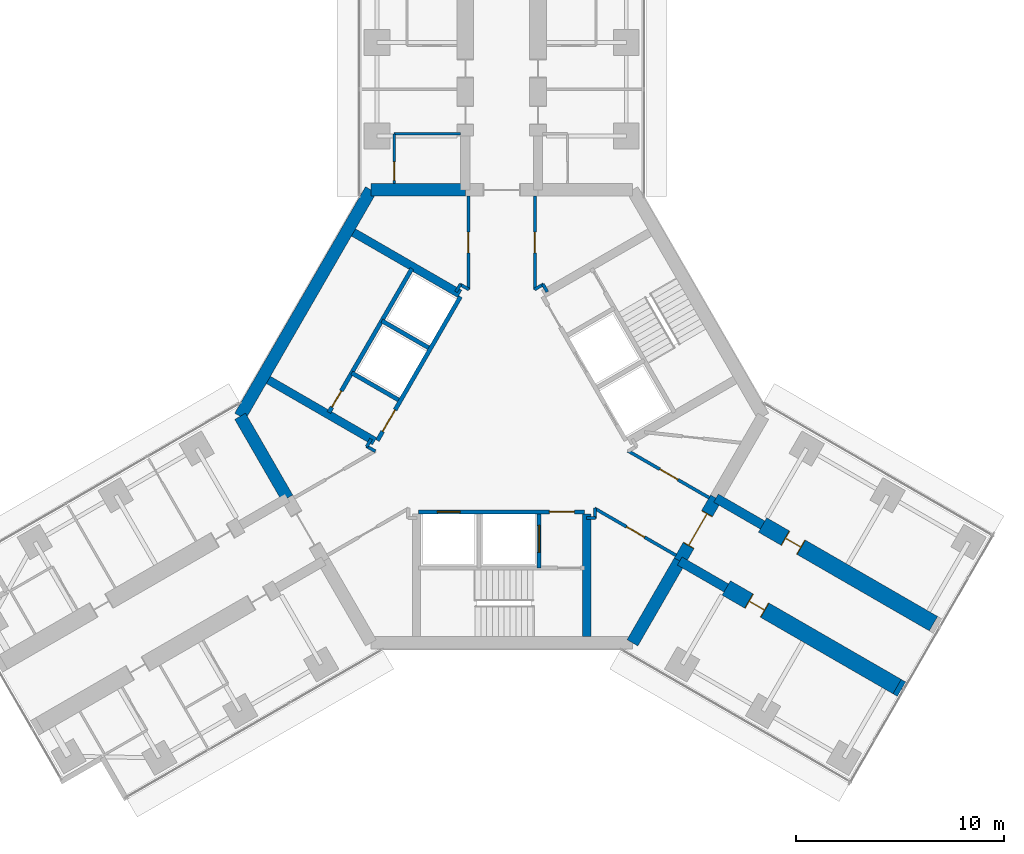
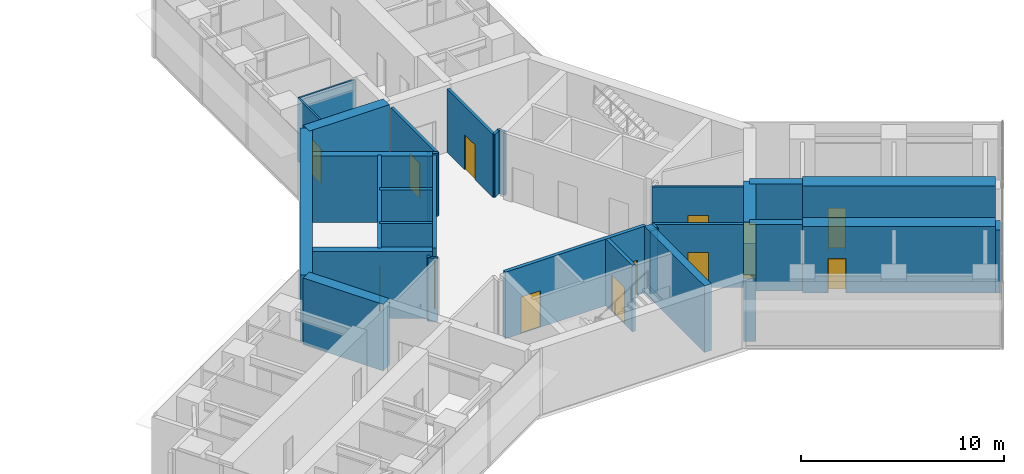
# One storey, part 19 of 23: 33 walls, 13 doors, 13 openings.
"""IFC4 building model written with IfcOpenShell, lengths in metres."""

from ifc_helpers import new_model, si_unit, direction, frame, frame_2d, origin, place, context, subcontext, project, spatial, rectangle, extrude, material, layer, layer_set, type_object, element, fill, save


model = new_model("IFC4")

# Units and contexts
model_context = context("Model", 3, precision=1e-05, world=origin(), true_north=direction((0.0, 1.0)))
body_context = subcontext(model_context, "Body", "Model", "MODEL_VIEW")
ifc_project = project(units=[si_unit("LENGTHUNIT", "METRE"), si_unit("AREAUNIT", "SQUARE_METRE"), si_unit("VOLUMEUNIT", "CUBIC_METRE"), si_unit("PLANEANGLEUNIT", "RADIAN"), si_unit("MASSUNIT", "GRAM", prefix="KILO")], contexts=[model_context])

# Site, building, storey
site_placement = place(None, origin())
site = spatial("IfcSite", under=ifc_project, at=site_placement, CompositionType="ELEMENT")
building_placement = place(site_placement, origin())
building = spatial("IfcBuilding", under=site, at=building_placement, Name="Upepo Twin Towers", CompositionType="ELEMENT")
storey_placement = place(building_placement, frame((0.0, 0.0, 145.5)))
storey = spatial("IfcBuildingStorey", under=building, at=storey_placement, Name="L35", CompositionType="ELEMENT", Elevation=145.5)

# Walls
ifc_material_1 = material(Name="Dense concrete blockwork", Category="masonry")
ifc_layer_1 = layer(ifc_material_1, 0.800048828125)
ifc_layer_set_1 = layer_set([ifc_layer_1], Name="Buttress closer 800, blockwork with fire-stopping to the curtain wall")
wall_type_1 = type_object("IfcWallType", Name="Buttress closer 800, blockwork with fire-stopping to the curtain wall", PredefinedType="PARTITIONING", material=ifc_layer_set_1)
wall_1_placement = place(storey_placement, frame((77.543701171875, -31.015625, 0.0), z_axis=(0.0, 0.0, 1.0), x_axis=(0.865827443207, -0.500342721131, 0.0)))
element("IfcWall", 1, at=wall_1_placement, inside=storey, type_object=wall_type_1, Name="T2 L35 wing C buttress closer R", PredefinedType="PARTITIONING", context=body_context, shape_type="SweptSolid", body=[
    extrude(rectangle(XDim=0.249755859375, YDim=0.800048828125, at=frame_2d((0.125, 0.0))), origin(), (0.0, 0.0, 1.0), 3.800048828125),
])
ifc_material_2 = material(Name="Concrete C60/75", Category="concrete")
ifc_layer_2 = layer(ifc_material_2, 0.449951171875)
ifc_layer_set_2 = layer_set([ifc_layer_2], Name="Concrete C60/75")
wall_type_2 = type_object("IfcWallType", Name="Buttress wall 450 RC", PredefinedType="SHEAR", material=ifc_layer_set_2)
for number, where, z_axis, x_axis, name in (
    (2, (68.82177734375, -21.938720703125, 0.0), (0.0, 0.0, 1.0), (0.866072649678, -0.499918158782, 0.0), "T2 wing C buttress wall L"),
    (3, (67.07177734375, -24.9697265625, 0.0), (0.0, 0.0, 1.0), (0.866031863473, -0.499988811324, 0.0), "T2 wing C buttress wall R"),
):
    element("IfcWall", number, at=place(storey_placement, frame(where, z_axis=z_axis, x_axis=x_axis)), inside=storey, type_object=wall_type_2, Name=name, PredefinedType="SHEAR", context=body_context, shape_type="SweptSolid", body=[
        extrude(rectangle(XDim=2.591796875, YDim=0.449951171875, at=frame_2d((1.2958984375, 0.0))), origin(), (0.0, 0.0, 1.0), 4.0),
    ])

# Wall, opening, door
ifc_material_3 = material(Name="Concrete C60/75", Category="concrete")
ifc_layer_3 = layer(ifc_material_3, 0.800048828125)
ifc_layer_set_3 = layer_set([ifc_layer_3], Name="Concrete C60/75")
wall_type_3 = type_object("IfcWallType", Name="Buttress wall 800 RC", PredefinedType="SHEAR", material=ifc_layer_set_3)
wall_2_placement = place(storey_placement, frame((71.06640625, -23.234375, 0.0), z_axis=(0.0, 0.0, 1.0), x_axis=(0.86602681393, -0.499997557548, 0.0)))
wall_2 = element("IfcWall", 4, at=wall_2_placement, inside=storey, type_object=wall_type_3, Name="T2 wing C buttress wall L part 2", PredefinedType="SHEAR", context=body_context, shape_type="SweptSolid", body=[
    extrude(rectangle(XDim=9.5, YDim=0.800048828125, at=frame_2d((4.75, 0.0))), origin(), (0.0, 0.0, 1.0), 4.0),
])
opening_1_placement = place(wall_2_placement, frame((1.25, 0.0, 0.0)))
opening_1 = element("IfcOpeningElement", 5, at=opening_1_placement, cuts=wall_2, Name="Opening D14", PredefinedType="OPENING", context=body_context, shape_type="SweptSolid", body=[
    extrude(rectangle(XDim=0.89990234375, YDim=2.10009765625, at=frame_2d((0.449951171875, 1.050048828125))), frame((0.0, 0.409912109375, 0.0), z_axis=(0.0, -1.0, 0.0), x_axis=(1.0, 0.0, 0.0)), (0.0, 0.0, 1.0), 0.820068359375),
])
ifc_material_4 = material(Name="Timber doorset", Category="wood")
door_type_1 = type_object("IfcDoorType", Name="Office door 900 FD30", OperationType="SINGLE_SWING_LEFT", PredefinedType="DOOR", material=ifc_material_4)
door_1_placement = place(opening_1_placement, origin())
door_1 = element("IfcDoor", 6, at=door_1_placement, inside=storey, type_object=door_type_1, Name="T2 L35 staff office door", OperationType="SINGLE_SWING_LEFT", OverallHeight=2.10009765625, OverallWidth=0.89990234375, PredefinedType="DOOR", context=body_context, shape_type="SweptSolid", body=[
    extrude(rectangle(XDim=0.81990234375, YDim=2.06009765625, at=frame_2d((0.449951171875, 1.030029296875))), frame((0.0, 0.02490234375, 0.0), z_axis=(0.0, -1.0, 0.0), x_axis=(1.0, 0.0, 0.0)), (0.0, 0.0, 1.0), 0.050048828125),
    extrude(rectangle(XDim=0.04, YDim=2.10009765625, at=frame_2d((0.02001953125, 1.050048828125))), frame((0.0, 0.39990234375, 0.0), z_axis=(0.0, -1.0, 0.0), x_axis=(1.0, 0.0, 0.0)), (0.0, 0.0, 1.0), 0.799560546875),
    extrude(rectangle(XDim=0.04, YDim=2.10009765625, at=frame_2d((0.8798828125, 1.050048828125))), frame((0.0, 0.39990234375, 0.0), z_axis=(0.0, -1.0, 0.0), x_axis=(1.0, 0.0, 0.0)), (0.0, 0.0, 1.0), 0.799560546875),
    extrude(rectangle(XDim=0.81990234375, YDim=0.04, at=frame_2d((0.449951171875, 2.080078125))), frame((0.0, 0.39990234375, 0.0), z_axis=(0.0, -1.0, 0.0), x_axis=(1.0, 0.0, 0.0)), (0.0, 0.0, 1.0), 0.799560546875),
])
fill(opening_1, door_1)

wall_3_placement = place(storey_placement, frame((69.31640625, -26.265625, 0.0), z_axis=(0.0, 0.0, 1.0), x_axis=(0.86602681393, -0.499997557548, 0.0)))
wall_3 = element("IfcWall", 7, at=wall_3_placement, inside=storey, type_object=wall_type_3, Name="T2 wing C buttress wall R part 2", PredefinedType="SHEAR", context=body_context, shape_type="SweptSolid", body=[
    extrude(rectangle(XDim=9.5, YDim=0.800048828125, at=frame_2d((4.75, 0.0))), origin(), (0.0, 0.0, 1.0), 4.0),
])
opening_2_placement = place(wall_3_placement, frame((1.25, 0.0, 0.0)))
opening_2 = element("IfcOpeningElement", 8, at=opening_2_placement, cuts=wall_3, Name="Opening D14", PredefinedType="OPENING", context=body_context, shape_type="SweptSolid", body=[
    extrude(rectangle(XDim=0.89990234375, YDim=2.10009765625, at=frame_2d((0.449951171875, 1.050048828125))), frame((0.0, 0.409912109375, 0.0), z_axis=(0.0, -1.0, 0.0), x_axis=(1.0, 0.0, 0.0)), (0.0, 0.0, 1.0), 0.820068359375),
])
door_2_placement = place(opening_2_placement, origin())
door_2 = element("IfcDoor", 9, at=door_2_placement, inside=storey, type_object=door_type_1, Name="T2 L35 staff office door", OperationType="SINGLE_SWING_LEFT", OverallHeight=2.10009765625, OverallWidth=0.89990234375, PredefinedType="DOOR", context=body_context, shape_type="SweptSolid", body=[
    extrude(rectangle(XDim=0.81990234375, YDim=2.06009765625, at=frame_2d((0.449951171875, 1.030029296875))), frame((0.0, 0.02490234375, 0.0), z_axis=(0.0, -1.0, 0.0), x_axis=(1.0, 0.0, 0.0)), (0.0, 0.0, 1.0), 0.050048828125),
    extrude(rectangle(XDim=0.04, YDim=2.10009765625, at=frame_2d((0.02001953125, 1.050048828125))), frame((0.0, 0.39990234375, 0.0), z_axis=(0.0, -1.0, 0.0), x_axis=(1.0, 0.0, 0.0)), (0.0, 0.0, 1.0), 0.799560546875),
    extrude(rectangle(XDim=0.04, YDim=2.10009765625, at=frame_2d((0.8798828125, 1.050048828125))), frame((0.0, 0.39990234375, 0.0), z_axis=(0.0, -1.0, 0.0), x_axis=(1.0, 0.0, 0.0)), (0.0, 0.0, 1.0), 0.799560546875),
    extrude(rectangle(XDim=0.81990234375, YDim=0.04, at=frame_2d((0.449951171875, 2.080078125))), frame((0.0, 0.39990234375, 0.0), z_axis=(0.0, -1.0, 0.0), x_axis=(1.0, 0.0, 0.0)), (0.0, 0.0, 1.0), 0.799560546875),
])
fill(opening_2, door_2)

# Walls
ifc_material_5 = material(Name="Concrete C60/75", Category="concrete")
ifc_layer_4 = layer(ifc_material_5, 0.60009765625)
ifc_layer_set_4 = layer_set([ifc_layer_4], Name="Concrete C60/75")
wall_type_4 = type_object("IfcWallType", Name="Core wall 600 RC", PredefinedType="SHEAR", material=ifc_layer_set_4)
wall_4_placement = place(storey_placement, frame((56.75, -7.091552734375, 0.0), z_axis=(0.0, 0.0, 1.0), x_axis=(-1.0, 0.0, 0.0)))
element("IfcWall", 10, at=wall_4_placement, inside=storey, type_object=wall_type_4, Name="T2 core wall 000 L", PredefinedType="SHEAR", context=body_context, shape_type="SweptSolid", body=[
    extrude(rectangle(XDim=4.5478515625, YDim=0.60009765625, at=frame_2d((2.27392578125, 0.0))), origin(), (0.0, 0.0, 1.0), 4.0),
])
wall_5_placement = place(storey_placement, frame((52.2021484375, -7.091552734375, 0.0), z_axis=(0.0, 0.0, 1.0), x_axis=(-0.500005998175, -0.866021940709, 0.0)))
element("IfcWall", 11, at=wall_5_placement, inside=storey, type_object=wall_type_4, Name="T2 core wall 060", PredefinedType="SHEAR", context=body_context, shape_type="SweptSolid", body=[
    extrude(rectangle(XDim=12.595947265625, YDim=0.60009765625, at=frame_2d((6.2978515625, 0.0))), origin(), (0.0, 0.0, 1.0), 4.0),
])
for number, where, z_axis, x_axis, name in (
    (12, (45.904052734375, -18.0, 0.0), (0.0, 0.0, 1.0), (0.500024481964, -0.866011268655, 0.0), "T2 core wall 120 R"),
    (13, (64.7978515625, -28.908447265625, 0.0), (0.0, 0.0, 1.0), (0.499984222037, 0.866034513004, 0.0), "T2 core wall 240 R"),
):
    element("IfcWall", number, at=place(storey_placement, frame(where, z_axis=z_axis, x_axis=x_axis)), inside=storey, type_object=wall_type_4, Name=name, PredefinedType="SHEAR", context=body_context, shape_type="SweptSolid", body=[
        extrude(rectangle(XDim=4.548095703125, YDim=0.60009765625, at=frame_2d((2.27392578125, 0.0))), origin(), (0.0, 0.0, 1.0), 4.0),
    ])

# Wall, opening, door
wall_6_placement = place(storey_placement, frame((67.07177734375, -24.9697265625, 0.0), z_axis=(0.0, 0.0, 1.0), x_axis=(0.500010275428, 0.866019471182, 0.0)))
wall_6 = element("IfcWall", 14, at=wall_6_placement, inside=storey, type_object=wall_type_4, Name="T2 core wall 240", PredefinedType="SHEAR", context=body_context, shape_type="SweptSolid", body=[
    extrude(rectangle(XDim=3.5, YDim=0.60009765625, at=frame_2d((1.75, 0.0))), origin(), (0.0, 0.0, 1.0), 4.0),
])
opening_3_placement = place(wall_6_placement, frame((0.85009765625, 0.0, 0.0)))
opening_3 = element("IfcOpeningElement", 15, at=opening_3_placement, cuts=wall_6, Name="Opening D2", PredefinedType="OPENING", context=body_context, shape_type="SweptSolid", body=[
    extrude(rectangle(XDim=1.800048828125, YDim=2.10009765625, at=frame_2d((0.89990234375, 1.050048828125))), frame((0.0, 0.31005859375, 0.0), z_axis=(0.0, -1.0, 0.0), x_axis=(1.0, 0.0, 0.0)), (0.0, 0.0, 1.0), 0.6201171875),
])
ifc_material_6 = material(Name="Timber doorset", Category="wood")
door_type_2 = type_object("IfcDoorType", Name="Corridor double door 1800 FD60", OperationType="DOUBLE_DOOR_DOUBLE_SWING", PredefinedType="DOOR", material=ifc_material_6)
door_3_placement = place(opening_3_placement, origin())
door_3 = element("IfcDoor", 16, at=door_3_placement, inside=storey, type_object=door_type_2, Name="T2 L35 wing C corridor door", OperationType="DOUBLE_DOOR_DOUBLE_SWING", OverallHeight=2.10009765625, OverallWidth=1.800048828125, PredefinedType="DOOR", context=body_context, shape_type="SweptSolid", body=[
    extrude(rectangle(XDim=1.720048828125, YDim=2.06009765625, at=frame_2d((0.89990234375, 1.030029296875))), frame((0.0, 0.02490234375, 0.0), z_axis=(0.0, -1.0, 0.0), x_axis=(1.0, 0.0, 0.0)), (0.0, 0.0, 1.0), 0.050048828125),
    extrude(rectangle(XDim=0.04, YDim=2.10009765625, at=frame_2d((0.02001953125, 1.050048828125))), frame((0.0, 0.2998046875, 0.0), z_axis=(0.0, -1.0, 0.0), x_axis=(1.0, 0.0, 0.0)), (0.0, 0.0, 1.0), 0.599609375),
    extrude(rectangle(XDim=0.04, YDim=2.10009765625, at=frame_2d((1.780029296875, 1.050048828125))), frame((0.0, 0.2998046875, 0.0), z_axis=(0.0, -1.0, 0.0), x_axis=(1.0, 0.0, 0.0)), (0.0, 0.0, 1.0), 0.599609375),
    extrude(rectangle(XDim=1.720048828125, YDim=0.04, at=frame_2d((0.89990234375, 2.080078125))), frame((0.0, 0.2998046875, 0.0), z_axis=(0.0, -1.0, 0.0), x_axis=(1.0, 0.0, 0.0)), (0.0, 0.0, 1.0), 0.599609375),
])
fill(opening_3, door_3)

ifc_material_7 = material(Name="Gypsum board on steel studs", Category="steel")
ifc_layer_5 = layer(ifc_material_7, 0.10009765625)
ifc_layer_set_5 = layer_set([ifc_layer_5], Name="Office partition 100 stud")
wall_type_5 = type_object("IfcWallType", Name="Office partition 100 stud", PredefinedType="PARTITIONING", material=ifc_layer_set_5)
wall_7_placement = place(storey_placement, frame((53.324951171875, -6.7919921875, 0.0), z_axis=(0.0, 0.0, 1.0), x_axis=(0.0, 1.0, 0.0)))
wall_7 = element("IfcWall", 17, at=wall_7_placement, inside=storey, type_object=wall_type_5, Name="T2 WC bay partition AL at 11.21", PredefinedType="PARTITIONING", context=body_context, shape_type="SweptSolid", body=[
    extrude(rectangle(XDim=2.39990234375, YDim=0.10009765625, at=frame_2d((1.199951171875, 0.0))), origin(), (0.0, 0.0, 1.0), 3.800048828125),
])
opening_4_placement = place(wall_7_placement, frame((0.14990234375, 0.0, 0.0)))
opening_4 = element("IfcOpeningElement", 18, at=opening_4_placement, cuts=wall_7, Name="Opening D14", PredefinedType="OPENING", context=body_context, shape_type="SweptSolid", body=[
    extrude(rectangle(XDim=0.89990234375, YDim=2.10009765625, at=frame_2d((0.449951171875, 1.050048828125))), frame((0.0, 0.06005859375, 0.0), z_axis=(0.0, -1.0, 0.0), x_axis=(1.0, 0.0, 0.0)), (0.0, 0.0, 1.0), 0.1201171875),
])
door_4_placement = place(opening_4_placement, origin())
door_4 = element("IfcDoor", 19, at=door_4_placement, inside=storey, type_object=door_type_1, Name="T2 L35 WC bay inner room door", OperationType="SINGLE_SWING_LEFT", OverallHeight=2.10009765625, OverallWidth=0.89990234375, PredefinedType="DOOR", context=body_context, shape_type="SweptSolid", body=[
    extrude(rectangle(XDim=0.89990234375, YDim=2.10009765625, at=frame_2d((0.449951171875, 1.050048828125))), frame((0.0, 0.02490234375, 0.0), z_axis=(0.0, -1.0, 0.0), x_axis=(1.0, 0.0, 0.0)), (0.0, 0.0, 1.0), 0.050048828125),
])
fill(opening_4, door_4)

# Wall
wall_8_placement = place(storey_placement, frame((56.52490234375, -4.39208984375, 0.0), z_axis=(0.0, 0.0, 1.0), x_axis=(-1.0, 0.0, 0.0)))
element("IfcWall", 20, at=wall_8_placement, inside=storey, type_object=wall_type_5, Name="T2 WC bay partition AL end at 13.61", PredefinedType="PARTITIONING", context=body_context, shape_type="SweptSolid", body=[
    extrude(rectangle(XDim=3.199951171875, YDim=0.10009765625, at=frame_2d((1.60009765625, 0.0))), origin(), (0.0, 0.0, 1.0), 3.800048828125),
])

# Wall, opening, door
ifc_material_8 = material(Name="Concrete C40/50", Category="concrete")
ifc_layer_6 = layer(ifc_material_8, 0.199951171875)
ifc_layer_set_6 = layer_set([ifc_layer_6], Name="Concrete C40/50")
wall_type_6 = type_object("IfcWallType", Name="Shaft wall 200 RC", PredefinedType="SHEAR", material=ifc_layer_set_6)
wall_9_placement = place(storey_placement, frame((56.516357421875, -12.23583984375, 0.0), z_axis=(0.0, 0.0, 1.0), x_axis=(-0.49999894854, -0.866026010844, 0.0)))
wall_9 = element("IfcWall", 21, at=wall_9_placement, inside=storey, type_object=wall_type_6, Name="T2 core W60 front wall", PredefinedType="SHEAR", context=body_context, shape_type="SweptSolid", body=[
    extrude(rectangle(XDim=8.0, YDim=0.199951171875, at=frame_2d((4.0, 0.0))), origin(), (0.0, 0.0, 1.0), 4.0),
])
opening_5_placement = place(wall_9_placement, frame((6.300048828125, 0.0, 0.0)))
opening_5 = element("IfcOpeningElement", 22, at=opening_5_placement, cuts=wall_9, Name="Opening D4", PredefinedType="OPENING", context=body_context, shape_type="SweptSolid", body=[
    extrude(rectangle(XDim=1.199951171875, YDim=2.10009765625, at=frame_2d((0.60009765625, 1.050048828125))), frame((0.0, 0.10986328125, 0.0), z_axis=(0.0, -1.0, 0.0), x_axis=(1.0, 0.0, 0.0)), (0.0, 0.0, 1.0), 0.219970703125),
])
ifc_material_9 = material(Name="Timber doorset", Category="wood")
door_type_3 = type_object("IfcDoorType", Name="Lobby door 1200 FD60", OperationType="SINGLE_SWING_LEFT", PredefinedType="DOOR", material=ifc_material_9)
door_5_placement = place(opening_5_placement, origin())
door_5 = element("IfcDoor", 23, at=door_5_placement, inside=storey, type_object=door_type_3, Name="T2 L35 W60 lobby door", OperationType="SINGLE_SWING_RIGHT", OverallHeight=2.10009765625, OverallWidth=1.199951171875, PredefinedType="DOOR", context=body_context, shape_type="SweptSolid", body=[
    extrude(rectangle(XDim=1.199951171875, YDim=2.10009765625, at=frame_2d((0.60009765625, 1.050048828125))), frame((0.0, 0.02490234375, 0.0), z_axis=(0.0, -1.0, 0.0), x_axis=(1.0, 0.0, 0.0)), (0.0, 0.0, 1.0), 0.050048828125),
])
fill(opening_5, door_5)

# Walls
for number, where, z_axis, x_axis, name in (
    (24, (54.979736328125, -14.697265625, 0.0), (0.0, 0.0, 1.0), (-0.866062058628, 0.499936506574, 0.0), "T2 core W60 shaft divider"),
    (25, (53.52978515625, -17.208740234375, 0.0), (0.0, 0.0, 1.0), (-0.866062058628, 0.499936506574, 0.0), "T2 core W60 lobby wall"),
):
    element("IfcWall", number, at=place(storey_placement, frame(where, z_axis=z_axis, x_axis=x_axis)), inside=storey, type_object=wall_type_6, Name=name, PredefinedType="SHEAR", context=body_context, shape_type="SweptSolid", body=[
        extrude(rectangle(XDim=2.599853515625, YDim=0.199951171875, at=frame_2d((1.2998046875, 0.0))), origin(), (0.0, 0.0, 1.0), 4.0),
    ])

# Wall, opening, door
wall_10_placement = place(storey_placement, frame((54.177978515625, -10.885986328125, 0.0), z_axis=(0.0, 0.0, 1.0), x_axis=(-0.49999894854, -0.866026010844, 0.0)))
wall_10 = element("IfcWall", 26, at=wall_10_placement, inside=storey, type_object=wall_type_6, Name="T2 core W60 stair wall", PredefinedType="SHEAR", context=body_context, shape_type="SweptSolid", body=[
    extrude(rectangle(XDim=8.0, YDim=0.199951171875, at=frame_2d((4.0, 0.0))), origin(), (0.0, 0.0, 1.0), 4.0),
])
opening_6_placement = place(wall_10_placement, frame((6.800048828125, 0.0, 0.0)))
opening_6 = element("IfcOpeningElement", 27, at=opening_6_placement, cuts=wall_10, Name="Opening D9", PredefinedType="OPENING", context=body_context, shape_type="SweptSolid", body=[
    extrude(rectangle(XDim=0.89990234375, YDim=2.10009765625, at=frame_2d((0.449951171875, 1.050048828125))), frame((0.0, 0.10986328125, 0.0), z_axis=(0.0, -1.0, 0.0), x_axis=(1.0, 0.0, 0.0)), (0.0, 0.0, 1.0), 0.219970703125),
])
ifc_material_10 = material(Name="Timber doorset", Category="wood")
door_type_4 = type_object("IfcDoorType", Name="Riser door 900 FD60", OperationType="SINGLE_SWING_LEFT", PredefinedType="DOOR", material=ifc_material_10)
door_6_placement = place(opening_6_placement, origin())
door_6 = element("IfcDoor", 28, at=door_6_placement, inside=storey, type_object=door_type_4, Name="T2 L35 riser door", OperationType="SINGLE_SWING_RIGHT", OverallHeight=2.10009765625, OverallWidth=0.89990234375, PredefinedType="DOOR", context=body_context, shape_type="SweptSolid", body=[
    extrude(rectangle(XDim=0.89990234375, YDim=2.10009765625, at=frame_2d((0.449951171875, 1.050048828125))), frame((0.0, 0.02490234375, 0.0), z_axis=(0.0, -1.0, 0.0), x_axis=(1.0, 0.0, 0.0)), (0.0, 0.0, 1.0), 0.050048828125),
])
fill(opening_6, door_6)

# Wall, openings, doors
wall_11_placement = place(storey_placement, frame((54.5, -22.60009765625, 0.0), z_axis=(0.0, 0.0, 1.0), x_axis=(1.0, 0.0, 0.0)))
wall_11 = element("IfcWall", 29, at=wall_11_placement, inside=storey, type_object=wall_type_6, Name="T2 core W180 front wall", PredefinedType="SHEAR", context=body_context, shape_type="SweptSolid", body=[
    extrude(rectangle(XDim=8.0, YDim=0.199951171875, at=frame_2d((4.0, 0.0))), origin(), (0.0, 0.0, 1.0), 4.0),
])
opening_7_placement = place(wall_11_placement, frame((6.300048828125, 0.0, 0.0)))
opening_7 = element("IfcOpeningElement", 30, at=opening_7_placement, cuts=wall_11, Name="Opening D4", PredefinedType="OPENING", context=body_context, shape_type="SweptSolid", body=[
    extrude(rectangle(XDim=1.199951171875, YDim=2.10009765625, at=frame_2d((0.60009765625, 1.050048828125))), frame((0.0, 0.10986328125, 0.0), z_axis=(0.0, -1.0, 0.0), x_axis=(1.0, 0.0, 0.0)), (0.0, 0.0, 1.0), 0.219970703125),
])
opening_8_placement = place(wall_11_placement, frame((0.89990234375, 0.0, 0.0)))
opening_8 = element("IfcOpeningElement", 31, at=opening_8_placement, cuts=wall_11, Name="Opening LD1", PredefinedType="OPENING", context=body_context, shape_type="SweptSolid", body=[
    extrude(rectangle(XDim=1.10009765625, YDim=2.199951171875, at=frame_2d((0.550048828125, 1.10009765625))), frame((0.0, 0.10986328125, 0.0), z_axis=(0.0, -1.0, 0.0), x_axis=(1.0, 0.0, 0.0)), (0.0, 0.0, 1.0), 0.219970703125),
])
ifc_material_11 = material(Name="Steel doorset", Category="steel")
door_type_5 = type_object("IfcDoorType", Name="Lift landing door 1100", OperationType="DOUBLE_DOOR_SLIDING", PredefinedType="DOOR", material=ifc_material_11)
door_7_placement = place(opening_8_placement, origin())
door_7 = element("IfcDoor", 32, at=door_7_placement, inside=storey, type_object=door_type_5, Name="T2 L35 lift SV1 landing door", OperationType="DOUBLE_DOOR_SLIDING", OverallHeight=2.199951171875, OverallWidth=1.10009765625, PredefinedType="DOOR", context=body_context, shape_type="SweptSolid", body=[
    extrude(rectangle(XDim=1.10009765625, YDim=2.199951171875, at=frame_2d((0.550048828125, 1.10009765625))), frame((0.0, 0.02490234375, 0.0), z_axis=(0.0, -1.0, 0.0), x_axis=(1.0, 0.0, 0.0)), (0.0, 0.0, 1.0), 0.050048828125),
])
fill(opening_8, door_7)
door_8_placement = place(opening_7_placement, origin())
door_8 = element("IfcDoor", 33, at=door_8_placement, inside=storey, type_object=door_type_3, Name="T2 L35 W180 lobby door", OperationType="SINGLE_SWING_RIGHT", OverallHeight=2.10009765625, OverallWidth=1.199951171875, PredefinedType="DOOR", context=body_context, shape_type="SweptSolid", body=[
    extrude(rectangle(XDim=1.199951171875, YDim=2.10009765625, at=frame_2d((0.60009765625, 1.050048828125))), frame((0.0, 0.02490234375, 0.0), z_axis=(0.0, -1.0, 0.0), x_axis=(1.0, 0.0, 0.0)), (0.0, 0.0, 1.0), 0.050048828125),
])
fill(opening_7, door_8)

# Wall, opening, door
wall_12_placement = place(storey_placement, frame((60.300048828125, -22.699951171875, 0.0), z_axis=(0.0, 0.0, 1.0), x_axis=(0.0, -1.0, 0.0)))
wall_12 = element("IfcWall", 34, at=wall_12_placement, inside=storey, type_object=wall_type_6, Name="T2 core W180 lobby wall", PredefinedType="SHEAR", context=body_context, shape_type="SweptSolid", body=[
    extrude(rectangle(XDim=2.60009765625, YDim=0.199951171875, at=frame_2d((1.300048828125, 0.0))), origin(), (0.0, 0.0, 1.0), 4.0),
])
opening_9_placement = place(wall_12_placement, frame((0.550048828125, 0.0, 0.0)))
opening_9 = element("IfcOpeningElement", 35, at=opening_9_placement, cuts=wall_12, Name="Opening LD2", PredefinedType="OPENING", context=body_context, shape_type="SweptSolid", body=[
    extrude(rectangle(XDim=1.300048828125, YDim=2.199951171875, at=frame_2d((0.64990234375, 1.10009765625))), frame((0.0, 0.10986328125, 0.0), z_axis=(0.0, -1.0, 0.0), x_axis=(1.0, 0.0, 0.0)), (0.0, 0.0, 1.0), 0.219970703125),
])
ifc_material_12 = material(Name="Steel doorset", Category="steel")
door_type_6 = type_object("IfcDoorType", Name="Firefighting lift landing door 1300", OperationType="DOUBLE_DOOR_SLIDING", PredefinedType="DOOR", material=ifc_material_12)
door_9_placement = place(opening_9_placement, origin())
door_9 = element("IfcDoor", 36, at=door_9_placement, inside=storey, type_object=door_type_6, Name="T2 L35 firefighting lift landing door", OperationType="DOUBLE_DOOR_SLIDING", OverallHeight=2.199951171875, OverallWidth=1.300048828125, PredefinedType="DOOR", context=body_context, shape_type="SweptSolid", body=[
    extrude(rectangle(XDim=1.300048828125, YDim=2.199951171875, at=frame_2d((0.64990234375, 1.10009765625))), frame((0.0, 0.02490234375, 0.0), z_axis=(0.0, -1.0, 0.0), x_axis=(1.0, 0.0, 0.0)), (0.0, 0.0, 1.0), 0.050048828125),
])
fill(opening_9, door_9)

# Walls
ifc_material_13 = material(Name="Concrete C40/50", Category="concrete")
ifc_layer_7 = layer(ifc_material_13, 0.39990234375)
ifc_layer_set_7 = layer_set([ifc_layer_7], Name="Concrete C40/50")
wall_type_7 = type_object("IfcWallType", Name="Shaft wall 400 RC", PredefinedType="SHEAR", material=ifc_layer_set_7)
wall_13_placement = place(storey_placement, frame((52.379638671875, -19.20068359375, 0.0), z_axis=(0.0, 0.0, 1.0), x_axis=(-0.866027317282, 0.49999668571, 0.0)))
element("IfcWall", 37, at=wall_13_placement, inside=storey, type_object=wall_type_7, Name="T2 core W60 side wall N", PredefinedType="SHEAR", context=body_context, shape_type="SweptSolid", body=[
    extrude(rectangle(XDim=5.908203125, YDim=0.39990234375, at=frame_2d((2.9541015625, 0.0))), origin(), (0.0, 0.0, 1.0), 4.0),
])
for number, where, z_axis, x_axis, name in (
    (38, (56.479736328125, -12.099365234375, 0.0), (0.0, 0.0, 1.0), (-0.866009424208, 0.500027676417, 0.0), "T2 core W60 side wall S"),
    (39, (62.60009765625, -22.699951171875, 0.0), (0.0, 0.0, 1.0), (0.0, -1.0, 0.0), "T2 core W180 side wall N"),
):
    element("IfcWall", number, at=place(storey_placement, frame(where, z_axis=z_axis, x_axis=x_axis)), inside=storey, type_object=wall_type_7, Name=name, PredefinedType="SHEAR", context=body_context, shape_type="SweptSolid", body=[
        extrude(rectangle(XDim=5.908447265625, YDim=0.39990234375, at=frame_2d((2.9541015625, 0.0))), origin(), (0.0, 0.0, 1.0), 4.0),
    ])
ifc_material_14 = material(Name="Gypsum board on steel studs", Category="steel")
ifc_layer_8 = layer(ifc_material_14, 0.14990234375)
ifc_layer_set_8 = layer_set([ifc_layer_8], Name="Teaching partition 150 acoustic")
wall_type_8 = type_object("IfcWallType", Name="Teaching partition 150 acoustic", PredefinedType="PARTITIONING", material=ifc_layer_set_8)
wall_14_placement = place(storey_placement, frame((52.417236328125, -19.684326171875, 0.0), z_axis=(0.0, 0.0, 1.0), x_axis=(-0.865831790172, 0.50033519877, 0.0)))
element("IfcWall", 40, at=wall_14_placement, inside=storey, type_object=wall_type_8, Name="T2 core room partition 4", PredefinedType="PARTITIONING", context=body_context, shape_type="SweptSolid", body=[
    extrude(rectangle(XDim=0.494384765625, YDim=0.14990234375, at=frame_2d((0.2470703125, 0.0))), origin(), (0.0, 0.0, 1.0), 3.800048828125),
])
for number, where, z_axis, x_axis, name in (
    (41, (51.99658203125, -19.46435546875, 0.0), (0.0, 0.0, 1.0), (0.499804398801, 0.866138304741, 0.0), "T2 core room partition 5"),
    (42, (56.301513671875, -12.0078125, 0.0), (0.0, 0.0, 1.0), (0.500230298122, 0.865892400268, 0.0), "T2 core room partition 6"),
):
    element("IfcWall", number, at=place(storey_placement, frame(where, z_axis=z_axis, x_axis=x_axis)), inside=storey, type_object=wall_type_8, Name=name, PredefinedType="PARTITIONING", context=body_context, shape_type="SweptSolid", body=[
        extrude(rectangle(XDim=0.429931640625, YDim=0.14990234375, at=frame_2d((0.21484375, 0.0))), origin(), (0.0, 0.0, 1.0), 3.800048828125),
    ])
wall_15_placement = place(storey_placement, frame((56.4892578125, -11.642822265625, 0.0), z_axis=(0.0, 0.0, 1.0), x_axis=(0.865831790172, -0.50033519877, 0.0)))
element("IfcWall", 43, at=wall_15_placement, inside=storey, type_object=wall_type_8, Name="T2 core room partition 7", PredefinedType="PARTITIONING", context=body_context, shape_type="SweptSolid", body=[
    extrude(rectangle(XDim=0.494384765625, YDim=0.14990234375, at=frame_2d((0.2470703125, 0.0))), origin(), (0.0, 0.0, 1.0), 3.800048828125),
])

# Wall, opening, door
wall_16_placement = place(storey_placement, frame((56.89990234375, -11.900146484375, 0.0), z_axis=(0.0, 0.0, 1.0), x_axis=(0.0, 1.0, 0.0)))
wall_16 = element("IfcWall", 44, at=wall_16_placement, inside=storey, type_object=wall_type_8, Name="T2 core room partition 8", PredefinedType="PARTITIONING", context=body_context, shape_type="SweptSolid", body=[
    extrude(rectangle(XDim=4.5185546875, YDim=0.14990234375, at=frame_2d((2.25927734375, 0.0))), origin(), (0.0, 0.0, 1.0), 3.800048828125),
])
opening_10_placement = place(wall_16_placement, frame((1.769287109375, 0.0, 0.0)))
opening_10 = element("IfcOpeningElement", 45, at=opening_10_placement, cuts=wall_16, Name="Opening D1", PredefinedType="OPENING", context=body_context, shape_type="SweptSolid", body=[
    extrude(rectangle(XDim=1.0, YDim=2.10009765625, at=frame_2d((0.5, 1.050048828125))), frame((0.0, 0.0849609375, 0.0), z_axis=(0.0, -1.0, 0.0), x_axis=(1.0, 0.0, 0.0)), (0.0, 0.0, 1.0), 0.169921875),
])
ifc_material_15 = material(Name="Timber doorset", Category="wood")
door_type_7 = type_object("IfcDoorType", Name="Room door 1000 FD30", OperationType="SINGLE_SWING_LEFT", PredefinedType="DOOR", material=ifc_material_15)
door_10_placement = place(opening_10_placement, origin())
door_10 = element("IfcDoor", 46, at=door_10_placement, inside=storey, type_object=door_type_7, Name="T2 L35 core room door K7", OperationType="SINGLE_SWING_RIGHT", OverallHeight=2.10009765625, OverallWidth=1.0, PredefinedType="DOOR", context=body_context, shape_type="SweptSolid", body=[
    extrude(rectangle(XDim=1.0, YDim=2.10009765625, at=frame_2d((0.5, 1.050048828125))), frame((0.0, 0.02490234375, 0.0), z_axis=(0.0, -1.0, 0.0), x_axis=(1.0, 0.0, 0.0)), (0.0, 0.0, 1.0), 0.050048828125),
])
fill(opening_10, door_10)

wall_17_placement = place(storey_placement, frame((60.10009765625, -7.381591796875, 0.0), z_axis=(0.0, 0.0, 1.0), x_axis=(0.0, -1.0, 0.0)))
wall_17 = element("IfcWall", 47, at=wall_17_placement, inside=storey, type_object=wall_type_8, Name="T2 core room partition 9", PredefinedType="PARTITIONING", context=body_context, shape_type="SweptSolid", body=[
    extrude(rectangle(XDim=4.5185546875, YDim=0.14990234375, at=frame_2d((2.25927734375, 0.0))), origin(), (0.0, 0.0, 1.0), 3.800048828125),
])
opening_11_placement = place(wall_17_placement, frame((1.7490234375, 0.0, 0.0)))
opening_11 = element("IfcOpeningElement", 48, at=opening_11_placement, cuts=wall_17, Name="Opening D1", PredefinedType="OPENING", context=body_context, shape_type="SweptSolid", body=[
    extrude(rectangle(XDim=1.0, YDim=2.10009765625, at=frame_2d((0.5, 1.050048828125))), frame((0.0, 0.0849609375, 0.0), z_axis=(0.0, -1.0, 0.0), x_axis=(1.0, 0.0, 0.0)), (0.0, 0.0, 1.0), 0.169921875),
])
door_11_placement = place(opening_11_placement, origin())
door_11 = element("IfcDoor", 49, at=door_11_placement, inside=storey, type_object=door_type_7, Name="T2 L35 core room door K6", OperationType="SINGLE_SWING_LEFT", OverallHeight=2.10009765625, OverallWidth=1.0, PredefinedType="DOOR", context=body_context, shape_type="SweptSolid", body=[
    extrude(rectangle(XDim=1.0, YDim=2.10009765625, at=frame_2d((0.5, 1.050048828125))), frame((0.0, 0.02490234375, 0.0), z_axis=(0.0, -1.0, 0.0), x_axis=(1.0, 0.0, 0.0)), (0.0, 0.0, 1.0), 0.050048828125),
])
fill(opening_11, door_11)

# Walls
wall_18_placement = place(storey_placement, frame((60.082763671875, -11.89013671875, 0.0), z_axis=(0.0, 0.0, 1.0), x_axis=(0.865831790172, 0.50033519877, 0.0)))
element("IfcWall", 50, at=wall_18_placement, inside=storey, type_object=wall_type_8, Name="T2 core room partition 10", PredefinedType="PARTITIONING", context=body_context, shape_type="SweptSolid", body=[
    extrude(rectangle(XDim=0.494384765625, YDim=0.14990234375, at=frame_2d((0.2470703125, 0.0))), origin(), (0.0, 0.0, 1.0), 3.800048828125),
])
wall_19_placement = place(storey_placement, frame((60.4833984375, -11.635498046875, 0.0), z_axis=(0.0, 0.0, 1.0), x_axis=(0.500230298122, -0.865892400268, 0.0)))
element("IfcWall", 51, at=wall_19_placement, inside=storey, type_object=wall_type_8, Name="T2 core room partition 11", PredefinedType="PARTITIONING", context=body_context, shape_type="SweptSolid", body=[
    extrude(rectangle(XDim=0.429931640625, YDim=0.14990234375, at=frame_2d((0.21484375, 0.0))), origin(), (0.0, 0.0, 1.0), 3.800048828125),
])

# Wall, opening, door
wall_20_placement = place(storey_placement, frame((64.582763671875, -19.664306640625, 0.0), z_axis=(0.0, 0.0, 1.0), x_axis=(0.866006515865, -0.500032713409, 0.0)))
wall_20 = element("IfcWall", 52, at=wall_20_placement, inside=storey, type_object=wall_type_8, Name="T2 core room partition 14", PredefinedType="PARTITIONING", context=body_context, shape_type="SweptSolid", body=[
    extrude(rectangle(XDim=4.518310546875, YDim=0.14990234375, at=frame_2d((2.25927734375, 0.0))), origin(), (0.0, 0.0, 1.0), 3.800048828125),
])
opening_12_placement = place(wall_20_placement, frame((1.769287109375, 0.0, 0.0)))
opening_12 = element("IfcOpeningElement", 53, at=opening_12_placement, cuts=wall_20, Name="Opening D1", PredefinedType="OPENING", context=body_context, shape_type="SweptSolid", body=[
    extrude(rectangle(XDim=1.0, YDim=2.10009765625, at=frame_2d((0.5, 1.050048828125))), frame((0.0, 0.0849609375, 0.0), z_axis=(0.0, -1.0, 0.0), x_axis=(1.0, 0.0, 0.0)), (0.0, 0.0, 1.0), 0.169921875),
])
door_12_placement = place(opening_12_placement, origin())
door_12 = element("IfcDoor", 54, at=door_12_placement, inside=storey, type_object=door_type_7, Name="T2 L35 core room door K4", OperationType="SINGLE_SWING_RIGHT", OverallHeight=2.10009765625, OverallWidth=1.0, PredefinedType="DOOR", context=body_context, shape_type="SweptSolid", body=[
    extrude(rectangle(XDim=1.0, YDim=2.10009765625, at=frame_2d((0.5, 1.050048828125))), frame((0.0, 0.02490234375, 0.0), z_axis=(0.0, -1.0, 0.0), x_axis=(1.0, 0.0, 0.0)), (0.0, 0.0, 1.0), 0.050048828125),
])
fill(opening_12, door_12)

wall_21_placement = place(storey_placement, frame((66.895751953125, -24.69482421875, 0.0), z_axis=(0.0, 0.0, 1.0), x_axis=(-0.86602002524, 0.500009315796, 0.0)))
wall_21 = element("IfcWall", 55, at=wall_21_placement, inside=storey, type_object=wall_type_8, Name="T2 core room partition 15", PredefinedType="PARTITIONING", context=body_context, shape_type="SweptSolid", body=[
    extrude(rectangle(XDim=4.5185546875, YDim=0.14990234375, at=frame_2d((2.25927734375, 0.0))), origin(), (0.0, 0.0, 1.0), 3.800048828125),
])
opening_13_placement = place(wall_21_placement, frame((1.7490234375, 0.0, 0.0)))
opening_13 = element("IfcOpeningElement", 56, at=opening_13_placement, cuts=wall_21, Name="Opening D1", PredefinedType="OPENING", context=body_context, shape_type="SweptSolid", body=[
    extrude(rectangle(XDim=1.0, YDim=2.10009765625, at=frame_2d((0.5, 1.050048828125))), frame((0.0, 0.0849609375, 0.0), z_axis=(0.0, -1.0, 0.0), x_axis=(1.0, 0.0, 0.0)), (0.0, 0.0, 1.0), 0.169921875),
])
door_13_placement = place(opening_13_placement, origin())
door_13 = element("IfcDoor", 57, at=door_13_placement, inside=storey, type_object=door_type_7, Name="T2 L35 core room door K3", OperationType="SINGLE_SWING_LEFT", OverallHeight=2.10009765625, OverallWidth=1.0, PredefinedType="DOOR", context=body_context, shape_type="SweptSolid", body=[
    extrude(rectangle(XDim=1.0, YDim=2.10009765625, at=frame_2d((0.5, 1.050048828125))), frame((0.0, 0.02490234375, 0.0), z_axis=(0.0, -1.0, 0.0), x_axis=(1.0, 0.0, 0.0)), (0.0, 0.0, 1.0), 0.050048828125),
])
fill(opening_13, door_13)

# Walls
wall_22_placement = place(storey_placement, frame((63.0, -22.425537109375, 0.0), z_axis=(0.0, 0.0, 1.0), x_axis=(0.0, -1.0, 0.0)))
element("IfcWall", 58, at=wall_22_placement, inside=storey, type_object=wall_type_8, Name="T2 core room partition 16", PredefinedType="PARTITIONING", context=body_context, shape_type="SweptSolid", body=[
    extrude(rectangle(XDim=0.494384765625, YDim=0.14990234375, at=frame_2d((0.2470703125, 0.0))), origin(), (0.0, 0.0, 1.0), 3.800048828125),
])
wall_23_placement = place(storey_placement, frame((63.02001953125, -22.89990234375, 0.0), z_axis=(0.0, 0.0, 1.0), x_axis=(-1.0, 0.0, 0.0)))
element("IfcWall", 59, at=wall_23_placement, inside=storey, type_object=wall_type_8, Name="T2 core room partition 17", PredefinedType="PARTITIONING", context=body_context, shape_type="SweptSolid", body=[
    extrude(rectangle(XDim=0.429931640625, YDim=0.14990234375, at=frame_2d((0.21484375, 0.0))), origin(), (0.0, 0.0, 1.0), 3.800048828125),
])

save(model, "model.ifc")
